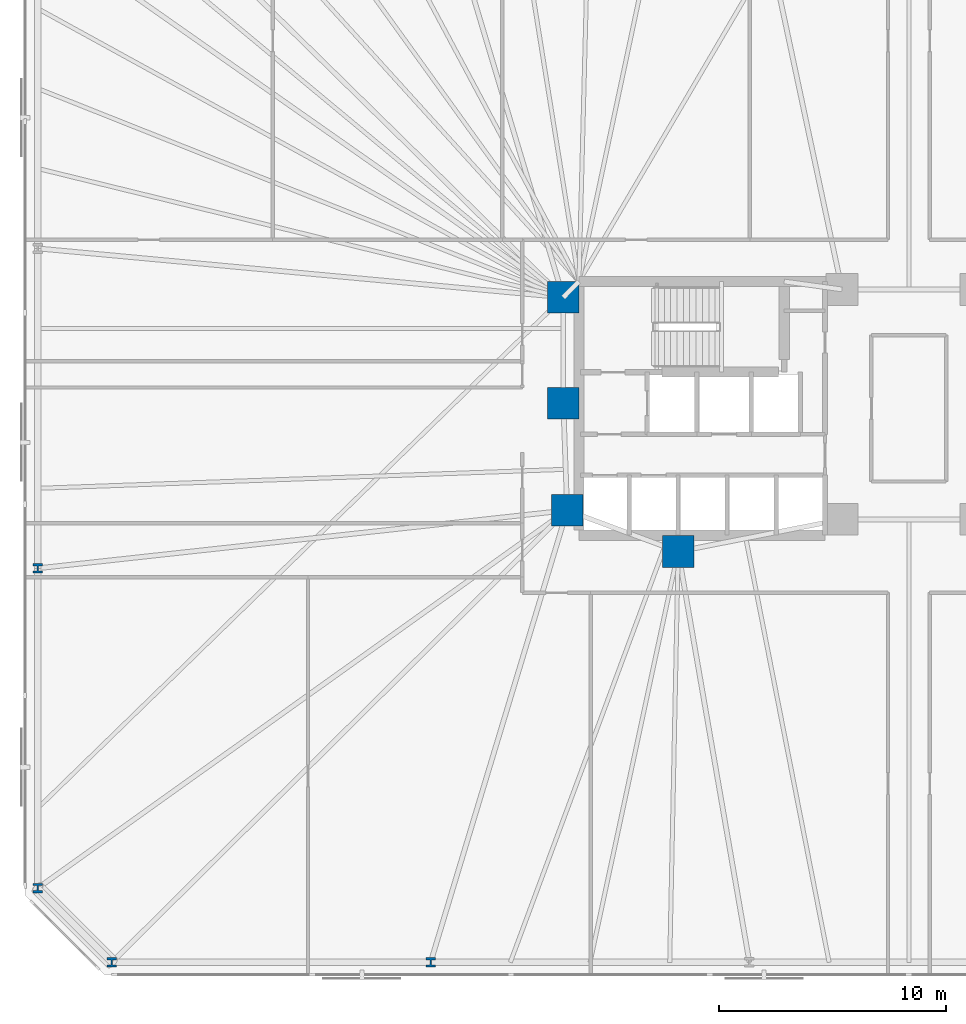
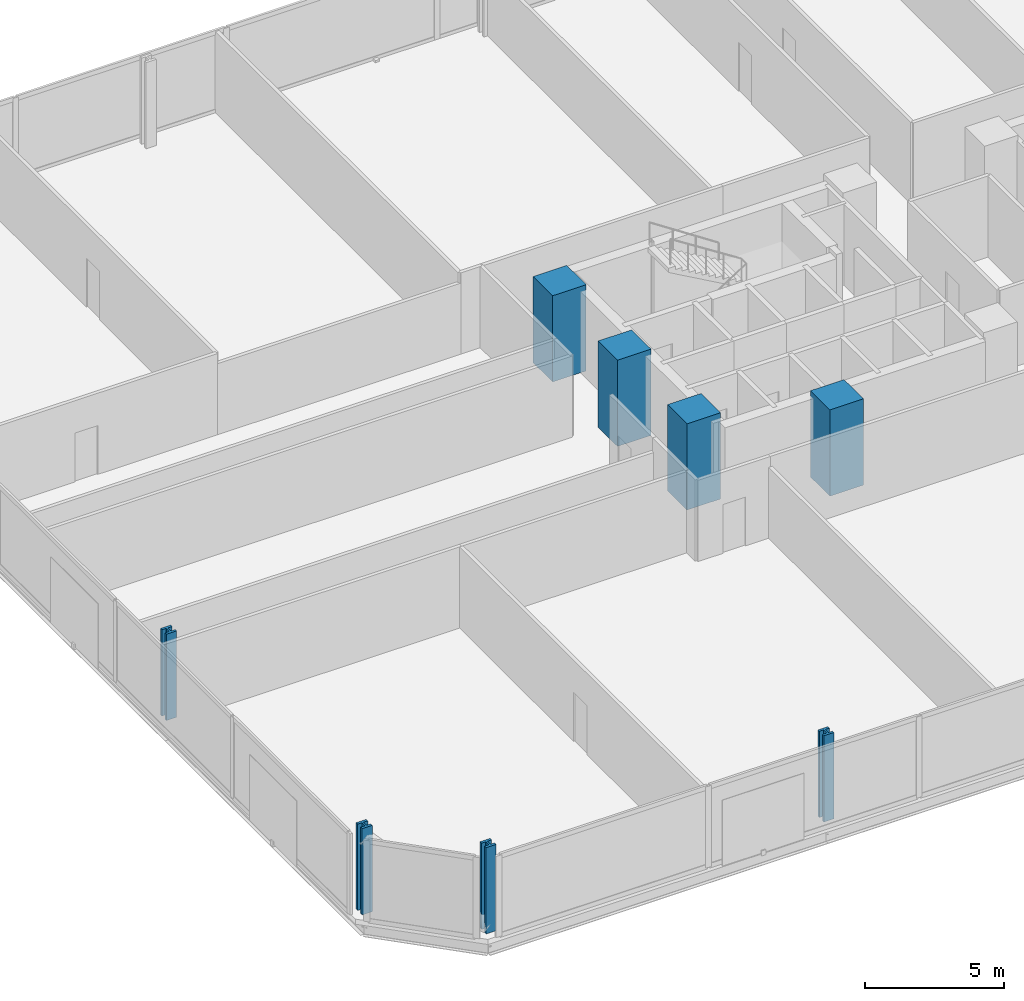
# One storey, part 1 of 17: 8 columns.
"""IFC4 building model written with IfcOpenShell, lengths in metres."""

from ifc_helpers import new_model, si_unit, direction, frame, origin, origin_2d, place, context, subcontext, project, spatial, rectangle, i_section, extrude, material, material_profile, profile_set, type_object, element, save


model = new_model("IFC4")

# Units and contexts
model_context = context("Model", 3, precision=1e-05, world=origin(), true_north=direction((0.0, 1.0)))
body_context = subcontext(model_context, "Body", "Model", "MODEL_VIEW")
ifc_project = project(units=[si_unit("LENGTHUNIT", "METRE"), si_unit("AREAUNIT", "SQUARE_METRE"), si_unit("VOLUMEUNIT", "CUBIC_METRE"), si_unit("PLANEANGLEUNIT", "RADIAN"), si_unit("MASSUNIT", "GRAM", prefix="KILO")], contexts=[model_context])

# Site, building, storey
site_placement = place(None, origin())
site = spatial("IfcSite", under=ifc_project, at=site_placement, CompositionType="ELEMENT")
building_placement = place(site_placement, origin())
building = spatial("IfcBuilding", under=site, at=building_placement, Name="Menara Jurai Vektor", CompositionType="ELEMENT")
storey_placement = place(building_placement, frame((0.0, 0.0, 25.60009765625)))
storey = spatial("IfcBuildingStorey", under=building, at=storey_placement, Name="L05", CompositionType="ELEMENT", Elevation=25.60009765625)

# Columns
ifc_material_1 = material(Name="Concrete C60/75", Category="concrete")
ifc_material_profile_1 = material_profile(ifc_material_1, rectangle(XDim=1.39990234375, YDim=1.39990234375, at=origin_2d()), Name="RC 1400x1400")
ifc_profile_set_1 = profile_set([ifc_material_profile_1], Name="Concrete C60/75")
column_type_1 = type_object("IfcColumnType", Name="STR-COL-RC1400", PredefinedType="COLUMN", material=ifc_profile_set_1)
for number, where, z_axis, x_axis, name in (
    (1, (-15.25, 4.89990234375, 0.0), (0.0, 0.0, 1.0), (1.0, 0.0, 0.0), "Core Spine Column CW-NW L05"),
    (2, (-15.25, 0.219970703125, 0.0), (0.0, 0.0, 1.0), (1.0, 0.0, 0.0), "Core Spine Column CW-WM L05"),
    (3, (-15.080078125, -4.5, 0.0), (0.0, 0.0, 1.0), (1.0, 0.0, 0.0), "Core Spine Column CW-SW L05"),
    (4, (-10.179931640625, -6.320068359375, 0.0), (0.0, 0.0, 1.0), (1.0, 0.0, 0.0), "Core Spine Column CW-SM L05"),
):
    element("IfcColumn", number, at=place(storey_placement, frame(where, z_axis=z_axis, x_axis=x_axis)), inside=storey, type_object=column_type_1, Name=name, PredefinedType="COLUMN", context=body_context, shape_type="SweptSolid", body=[
        extrude(rectangle(XDim=1.39990234375, YDim=1.39990234375, at=origin_2d()), origin(), (0.0, 0.0, 1.0), 3.7998046875),
    ])
ifc_material_2 = material(Name="Steel S460", Category="steel")
ifc_material_profile_2 = material_profile(ifc_material_2, i_section(OverallWidth=0.419921875, OverallDepth=0.430908203125, WebThickness=0.06494140625, FlangeThickness=0.10595703125, FilletRadius=0.014892578125, at=origin_2d()), Name="HD 400x900")
ifc_profile_set_2 = profile_set([ifc_material_profile_2], Name="Steel S460")
column_type_2 = type_object("IfcColumnType", Name="STR-EXO-BLK1", PredefinedType="COLUMN", material=ifc_profile_set_2)
for number, where, z_axis, x_axis, name in (
    (5, (-35.177734375, -24.449951171875, 0.0), (0.0, 0.0, 1.0), (1.0, 0.0, 0.0), "Exoskeleton Column BLK1-S1 L05"),
    (6, (-21.106689453125, -24.449951171875, 0.0), (0.0, 0.0, 1.0), (1.0, 0.0, 0.0), "Exoskeleton Column BLK1-S2 L05"),
    (7, (-38.449951171875, -7.059326171875, 0.0), (0.0, 0.0, 1.0), (1.0, 0.0, 0.0), "Exoskeleton Column BLK1-W3 L05"),
    (8, (-38.449951171875, -21.177734375, 0.0), (0.0, 0.0, 1.0), (1.0, 0.0, 0.0), "Exoskeleton Column BLK1-W4 L05"),
):
    element("IfcColumn", number, at=place(storey_placement, frame(where, z_axis=z_axis, x_axis=x_axis)), inside=storey, type_object=column_type_2, Name=name, PredefinedType="COLUMN", context=body_context, shape_type="SweptSolid", body=[
        extrude(i_section(OverallWidth=0.419921875, OverallDepth=0.430908203125, WebThickness=0.06494140625, FlangeThickness=0.10595703125, FilletRadius=0.014892578125, at=origin_2d()), origin(), (0.0, 0.0, 1.0), 3.7998046875),
    ])

save(model, "model.ifc")
